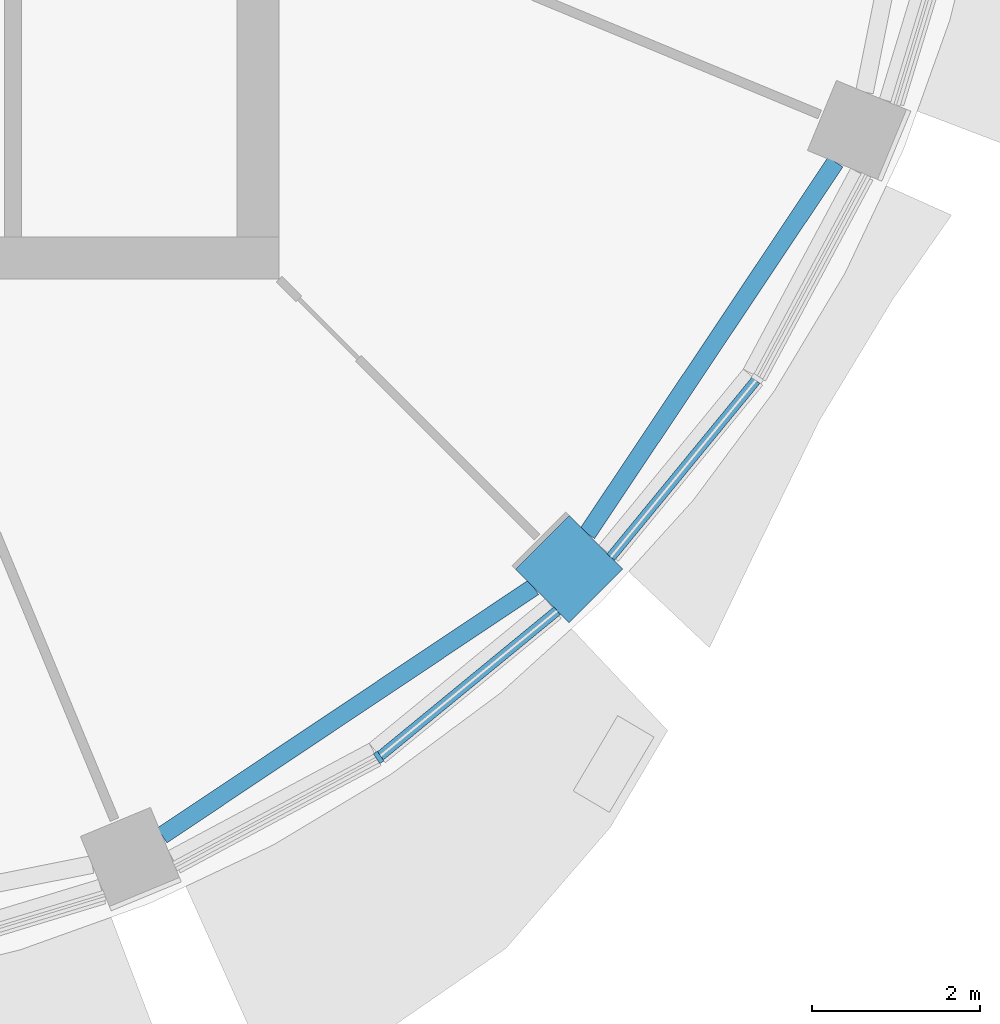
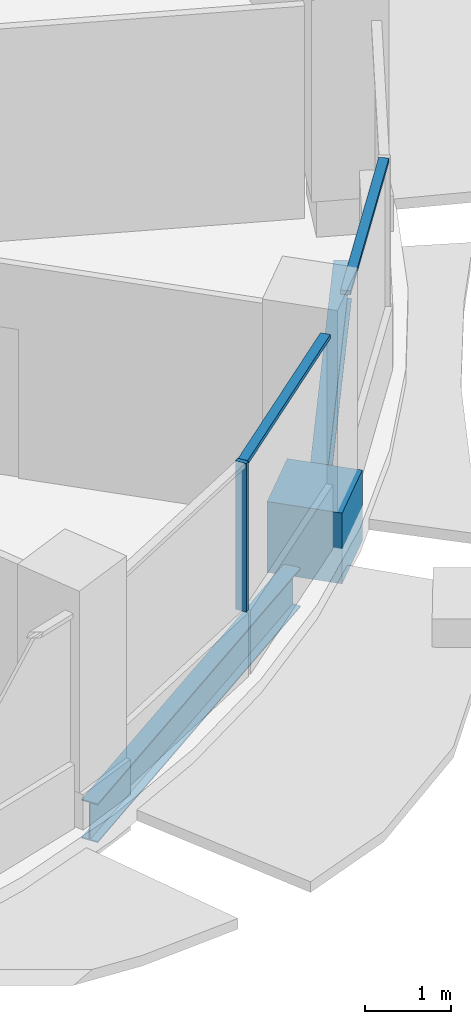
# One storey, part 3 of 15: 4 members, 2 beams, 2 elements without a shape of their own.
"""IFC4 building model written with IfcOpenShell, lengths in metres."""

from ifc_helpers import new_model, si_unit, direction, frame, origin, origin_2d, place, context, subcontext, project, spatial, rectangle, i_section, extrude, material, material_profile, profile_set, type_object, element, aggregate, save


model = new_model("IFC4")

# Units and contexts
model_context = context("Model", 3, precision=1e-05, world=origin(), true_north=direction((0.0, 1.0)))
body_context = subcontext(model_context, "Body", "Model", "MODEL_VIEW")
ifc_project = project(units=[si_unit("LENGTHUNIT", "METRE"), si_unit("AREAUNIT", "SQUARE_METRE"), si_unit("VOLUMEUNIT", "CUBIC_METRE"), si_unit("PLANEANGLEUNIT", "RADIAN"), si_unit("MASSUNIT", "GRAM", prefix="KILO")], contexts=[model_context])

# Site, building, storey
site_placement = place(None, origin())
site = spatial("IfcSite", under=ifc_project, at=site_placement, CompositionType="ELEMENT")
building_placement = place(site_placement, origin())
building = spatial("IfcBuilding", under=site, at=building_placement, Name="Polderwave Tower", CompositionType="ELEMENT")
storey_placement = place(building_placement, frame((0.0, 0.0, 207.75)))
storey = spatial("IfcBuildingStorey", under=building, at=storey_placement, Name="L56", CompositionType="ELEMENT", Elevation=207.75)

# Curtain wall, members
ifc_material_1 = material(Name="Aluminium 6063-T6 and glass", Category="aluminium")
curtain_wall_type = type_object("IfcCurtainWallType", Name="Office ribbon glazing wall", PredefinedType="NOTDEFINED", material=ifc_material_1)
curtain_wall_1_placement = place(storey_placement, origin())
curtain_wall_1 = element("IfcCurtainWall", 1, at=curtain_wall_1_placement, inside=storey, type_object=curtain_wall_type, Name="CW3 L56 13", PredefinedType="NOTDEFINED")
ifc_material_2 = material(Name="Aluminium 6063-T6", Category="aluminium")
ifc_material_profile_1 = material_profile(ifc_material_2, rectangle(XDim=0.139892578125, YDim=0.054931640625, at=origin_2d()), Name="AL 55x140")
ifc_profile_set_1 = profile_set([ifc_material_profile_1], Name="Aluminium 6063-T6")
member_type_1 = type_object("IfcMemberType", Name="Office ribbon glazing mullion 55x140", PredefinedType="MULLION", material=ifc_profile_set_1)
member_1_placement = place(storey_placement, frame((9.055908203125, -13.552978515625, 0.89990234375), z_axis=(0.0, 0.0, 1.0), x_axis=(-0.555592000653, 0.831455067223, 0.0)))
member_1 = element("IfcMember", 2, at=member_1_placement, type_object=member_type_1, Name="CW3 mullion 1", PredefinedType="MULLION", context=body_context, shape_type="SweptSolid", body=[
    extrude(rectangle(XDim=0.139892578125, YDim=0.054931640625, at=origin_2d()), origin(), (0.0, 0.0, 1.0), 2.10009765625),
])
ifc_material_profile_2 = material_profile(ifc_material_2, rectangle(XDim=0.1201171875, YDim=0.06005859375, at=origin_2d()), Name="AL 60x120")
ifc_profile_set_2 = profile_set([ifc_material_profile_2], Name="Aluminium 6063-T6")
member_type_2 = type_object("IfcMemberType", Name="Office ribbon glazing transom 60x120", PredefinedType="USERDEFINED", material=ifc_profile_set_2)
member_2_placement = place(storey_placement, frame((9.077392578125, -13.53564453125, 2.969970703125), z_axis=(0.772946726022, 0.634470928201, 0.0), x_axis=(-0.634470928201, 0.772946726022, 0.0)))
member_2 = element("IfcMember", 3, at=member_2_placement, type_object=member_type_2, Name="CW3 transom 2", ObjectType="TRANSOM", PredefinedType="USERDEFINED", context=body_context, shape_type="SweptSolid", body=[
    extrude(rectangle(XDim=0.1201171875, YDim=0.06005859375, at=origin_2d()), origin(), (0.0, 0.0, 1.0), 2.715087890625),
])
aggregate(curtain_wall_1, [member_1, member_2])

# Curtain wall, member
curtain_wall_2_placement = place(storey_placement, origin())
curtain_wall_2 = element("IfcCurtainWall", 4, at=curtain_wall_2_placement, inside=storey, type_object=curtain_wall_type, Name="CW3 L56 14", PredefinedType="NOTDEFINED")
member_3_placement = place(storey_placement, frame((11.81298828125, -11.176025390625, 2.969970703125), z_axis=(0.634470928201, 0.772946726022, 0.0), x_axis=(-0.772946726022, 0.634470928201, 0.0)))
member_3 = element("IfcMember", 5, at=member_3_placement, type_object=member_type_2, Name="CW3 transom 1", ObjectType="TRANSOM", PredefinedType="USERDEFINED", context=body_context, shape_type="SweptSolid", body=[
    extrude(rectangle(XDim=0.1201171875, YDim=0.06005859375, at=origin_2d()), origin(), (0.0, 0.0, 1.0), 2.715087890625),
])
aggregate(curtain_wall_2, [member_3])

# Member
ifc_material_3 = material(Name="Concrete C60/75", Category="concrete")
ifc_material_profile_3 = material_profile(ifc_material_3, rectangle(XDim=0.89990234375, YDim=0.89990234375, at=origin_2d()), Name="RC 900x900")
ifc_profile_set_3 = profile_set([ifc_material_profile_3], Name="Concrete C60/75")
member_type_3 = type_object("IfcMemberType", Name="RC NODE 900x900 C60/75", PredefinedType="POST", material=ifc_profile_set_3)
member_4_placement = place(storey_placement, frame((11.31787109375, -11.31787109375, -0.5), z_axis=(0.0, 0.0, 1.0), x_axis=(0.707106781187, -0.707106781187, 0.0)))
element("IfcMember", 6, at=member_4_placement, inside=storey, type_object=member_type_3, Name="Ring column node 15", PredefinedType="POST", context=body_context, shape_type="SweptSolid", body=[
    extrude(rectangle(XDim=0.89990234375, YDim=0.89990234375, at=origin_2d()), origin(), (0.0, 0.0, 1.0), 1.0),
])

# Beams
ifc_material_4 = material(Name="Steel S355", Category="steel")
ifc_material_profile_4 = material_profile(ifc_material_4, i_section(OverallWidth=0.2099609375, OverallDepth=0.550048828125, WebThickness=0.010986328125, FlangeThickness=0.01708984375, at=origin_2d()), Name="IPE 550")
ifc_profile_set_4 = profile_set([ifc_material_profile_4], Name="Steel S355")
beam_type = type_object("IfcBeamType", Name="RING BEAM IPE 550", PredefinedType="BEAM", material=ifc_profile_set_4)
for number, where, z_axis, x_axis, name in (
    (7, (6.4853515625, -14.48095703125, -0.625), (0.831469356963, 0.555570615162, 0.0), (-0.555570615162, 0.831469356963, 0.0), "ST-RB-L56-13"),
    (8, (11.533203125, -10.89697265625, -0.625), (0.555570615162, 0.831469356963, 0.0), (-0.831469356963, 0.555570615162, 0.0), "ST-RB-L56-14"),
):
    element("IfcBeam", number, at=place(storey_placement, frame(where, z_axis=z_axis, x_axis=x_axis)), inside=storey, type_object=beam_type, Name=name, PredefinedType="BEAM", context=body_context, shape_type="SweptSolid", body=[
        extrude(i_section(OverallWidth=0.2099609375, OverallDepth=0.550048828125, WebThickness=0.010986328125, FlangeThickness=0.01708984375, at=origin_2d()), origin(), (0.0, 0.0, 1.0), 5.305908203125),
    ])

save(model, "model.ifc")
